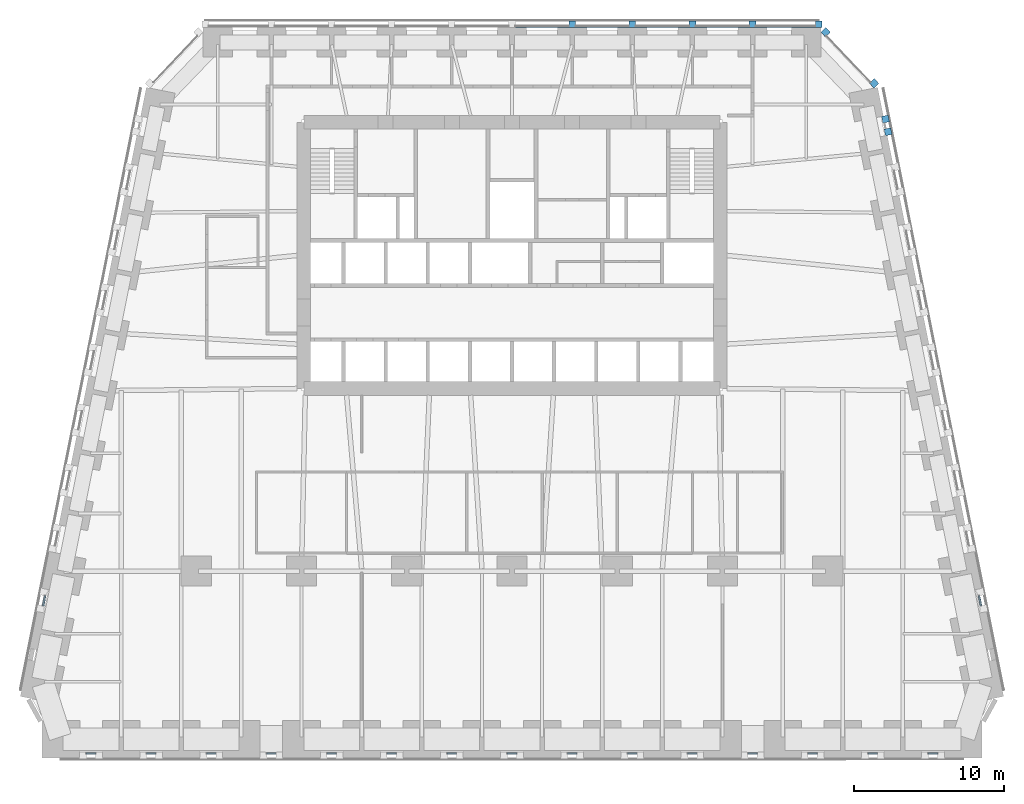
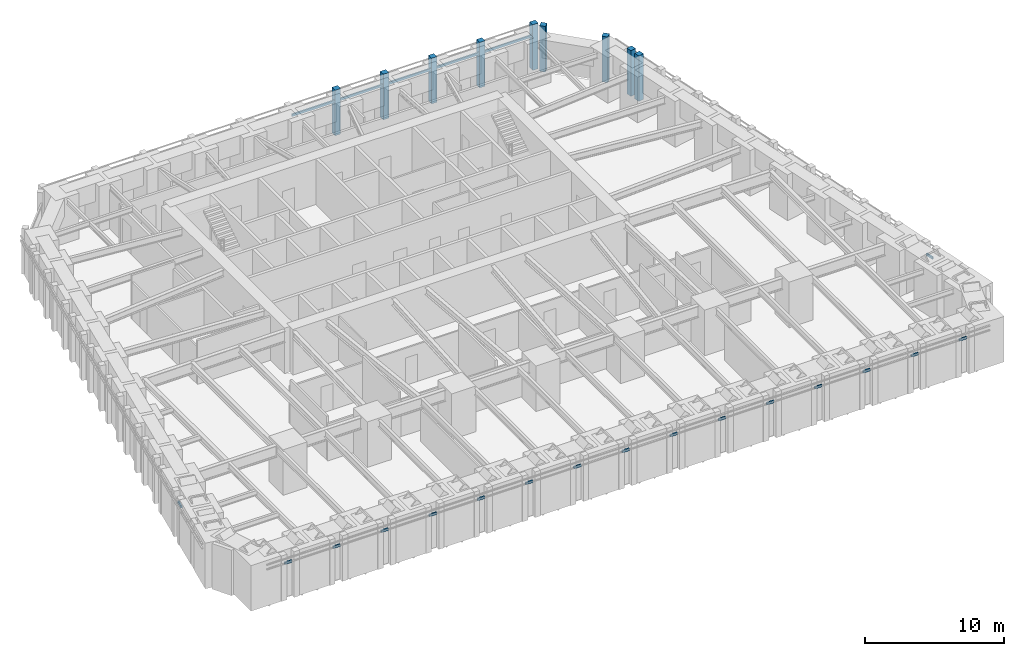
# One storey, part 5 of 16: 31 members, 20 elements without a shape of their own.
"""IFC4 building model written with IfcOpenShell, lengths in metres."""

import ifcopenshell
import ifcopenshell.guid

model = None  # the IFC model being written
_history = None  # IfcOwnerHistory: only IFC2X3 demands one
_inside = {}  # id of a spatial element -> (the spatial element, [elements in it])
_under = {}  # id of a project, library or spatial element -> (it, [spatial elements below it])
_declared = {}  # id of a project -> (the project, [libraries it declares])
_typed = {}  # id of a type object -> (the type object, [elements of that type])
_made_of = {}  # id of a material, layer set ... -> (it, [elements and type objects made of it])


def new_model(schema):
    """Start an empty IFC model of exactly this schema.

    Asked for "IFC4X3", IfcOpenShell would pick the latest addendum, in which some entities
    have other attributes; the version numbers below select the first issue.
    IFC2X3 requires an IfcOwnerHistory on every rooted entity: one is made here for all.
    """
    global model, _history
    if schema == "IFC4X3":
        model = ifcopenshell.file(schema_version=(4, 3, 0, 0))
    else:
        model = ifcopenshell.file(schema=schema)
    _inside.clear()
    _under.clear()
    _declared.clear()
    _typed.clear()
    _made_of.clear()
    _history = None
    if model.schema == "IFC2X3":
        org = make("IfcOrganization", Name="unknown")
        user = make(
            "IfcPersonAndOrganization",
            ThePerson=make("IfcPerson", FamilyName="unknown"),
            TheOrganization=org,
        )
        app = make(
            "IfcApplication",
            ApplicationDeveloper=org,
            Version="unknown",
            ApplicationFullName="unknown",
            ApplicationIdentifier="unknown",
        )
        _history = make(
            "IfcOwnerHistory",
            OwningUser=user,
            OwningApplication=app,
            ChangeAction="ADDED",
            CreationDate=0,
        )
    return model


def make(cls, **values):
    """One entity of the class cls with the attributes given. An attribute that is None is left unset."""
    return model.create_entity(
        cls, **{name: value for name, value in values.items() if value is not None}
    )


def rooted(cls, **values):
    """An entity with a GlobalId (a new one), such as an element, a storey or a relation."""
    return make(cls, GlobalId=ifcopenshell.guid.new(), OwnerHistory=_history, **values)


def si_unit(unit_type, name, prefix=None):
    """IfcSIUnit, for example si_unit("LENGTHUNIT", "METRE", prefix="MILLI")."""
    return make("IfcSIUnit", UnitType=unit_type, Prefix=prefix, Name=name)


def assignment(units):
    """IfcUnitAssignment: the units of a project."""
    return None if units is None else make("IfcUnitAssignment", Units=units)


def point(xyz):
    """IfcCartesianPoint."""
    return None if xyz is None else make("IfcCartesianPoint", Coordinates=xyz)


def direction(xyz):
    """IfcDirection."""
    return None if xyz is None else make("IfcDirection", DirectionRatios=xyz)


def frame(location, z_axis=None, x_axis=None):
    """IfcAxis2Placement3D, a coordinate frame: its origin and axes. An axis left out is left unset."""
    return make(
        "IfcAxis2Placement3D",
        Location=point(location),
        Axis=direction(z_axis),
        RefDirection=direction(x_axis),
    )


def frame_2d(location, x_axis=None):
    """IfcAxis2Placement2D, a coordinate frame in the plane: its origin and x axis."""
    return make(
        "IfcAxis2Placement2D", Location=point(location), RefDirection=direction(x_axis)
    )


def origin():
    """The frame at (0, 0, 0) with its axes left unset."""
    return frame((0.0, 0.0, 0.0))


def origin_2d():
    """The frame at (0, 0) in the plane with its x axis left unset."""
    return frame_2d((0.0, 0.0))


def place(relative_to, where):
    """IfcLocalPlacement: puts the frame where relative to a parent placement (None: the world)."""
    return make(
        "IfcLocalPlacement", PlacementRelTo=relative_to, RelativePlacement=where
    )


def context(
    kind, dimensions, precision=None, world=None, true_north=None, identifier=None
):
    """IfcGeometricRepresentationContext, for example the 3D "Model" context."""
    return make(
        "IfcGeometricRepresentationContext",
        ContextIdentifier=identifier,
        ContextType=kind,
        CoordinateSpaceDimension=dimensions,
        Precision=precision,
        WorldCoordinateSystem=world,
        TrueNorth=true_north,
    )


def subcontext(parent, identifier, kind, view, scale=None):
    """IfcGeometricRepresentationSubContext, for example "Body" below "Model"."""
    return make(
        "IfcGeometricRepresentationSubContext",
        ContextIdentifier=identifier,
        ContextType=kind,
        ParentContext=parent,
        TargetScale=scale,
        TargetView=view,
    )


def project(units=None, contexts=None):
    """IfcProject with its units and contexts."""
    return rooted(
        "IfcProject",
        Name="project",
        RepresentationContexts=contexts,
        UnitsInContext=assignment(units),
    )


def spatial(cls, under=None, at=None, **own):
    """A site, building, storey or space (cls), placed at a placement, below another one or the project."""
    s = rooted(cls, ObjectPlacement=at, **own)
    if under is not None:
        _under.setdefault(under.id(), (under, []))[1].append(s)
    return s


def profile(cls, at=None, kind="AREA", **sizes):
    """A parametric profile (cls). Its sizes go by their IFC names, for example OverallWidth=200.0."""
    return make(cls, ProfileType=kind, Position=at, **sizes)


def rectangle(**sizes):
    """IfcRectangleProfileDef."""
    return profile("IfcRectangleProfileDef", **sizes)


def extrude(swept, where, along, depth):
    """IfcExtrudedAreaSolid: the profile swept, set in the frame where, extruded along a direction by depth."""
    return make(
        "IfcExtrudedAreaSolid",
        SweptArea=swept,
        Position=where,
        ExtrudedDirection=direction(along),
        Depth=depth,
    )


def shape(context_of_items, identifier, shape_type, items):
    """IfcShapeRepresentation: the items that make up one representation, for example the "Body"."""
    return make(
        "IfcShapeRepresentation",
        ContextOfItems=context_of_items,
        RepresentationIdentifier=identifier,
        RepresentationType=shape_type,
        Items=items,
    )


def material(Name=None, Category=None):
    """IfcMaterial."""
    return make("IfcMaterial", Name=Name, Category=Category)


def material_profile(
    of_material, cross_section, Name=None, Category=None, Priority=None
):
    """IfcMaterialProfile: a cross section and its material."""
    return make(
        "IfcMaterialProfile",
        Name=Name,
        Material=of_material,
        Profile=cross_section,
        Priority=Priority,
        Category=Category,
    )


def profile_set(profiles, Name=None, composite=None):
    """IfcMaterialProfileSet."""
    return make(
        "IfcMaterialProfileSet",
        Name=Name,
        MaterialProfiles=profiles,
        CompositeProfile=composite,
    )


def made_of(thing, what):
    """Note that an element or type object is made of a material, layer set ...; save() writes the relation."""
    if what is not None:
        _made_of.setdefault(what.id(), (what, []))[1].append(thing)
    return thing


def type_object(cls, material=None, **own):
    """A type object (cls), such as IfcWallType, which elements share."""
    return made_of(rooted(cls, **own), material)


def element(
    cls,
    number,
    at=None,
    inside=None,
    cuts=None,
    type_object=None,
    material=None,
    context=None,
    identifier="Body",
    shape_type=None,
    held_by="IfcProductDefinitionShape",
    body=None,
    shapes=None,
    **own,
):
    """One element of the class cls, such as IfcWall. Its Tag is "e" and its number.

    at: its placement. inside: the storey or other place that contains it. cuts: it is an
    opening in that element (IfcRelVoidsElement). A single representation is given by context,
    identifier, shape_type and body (its items); several are given by shapes. held_by: the class
    of the entity that holds the representations. save() writes the other relations.
    """
    e = rooted(cls, Tag="e%d" % number, ObjectPlacement=at, **own)
    if body is not None:
        shapes = [shape(context, identifier, shape_type, body)]
    if shapes is not None:
        e.Representation = make(held_by, Representations=shapes)
    if inside is not None:
        _inside.setdefault(inside.id(), (inside, []))[1].append(e)
    if cuts is not None:
        rooted(
            "IfcRelVoidsElement", RelatingBuildingElement=cuts, RelatedOpeningElement=e
        )
    if type_object is not None:
        _typed.setdefault(type_object.id(), (type_object, []))[1].append(e)
    return made_of(e, material)


def aggregate(whole, parts):
    """IfcRelAggregates: a whole, such as a stair, and the parts it consists of."""
    return rooted("IfcRelAggregates", RelatingObject=whole, RelatedObjects=parts)


def save(model, path):
    """Write the relations noted so far, then the file.

    IfcRelAggregates (storeys below a building ...), IfcRelContainedInSpatialStructure (elements
    in a storey), IfcRelDefinesByType, IfcRelAssociatesMaterial and IfcRelDeclares: one each for
    every whole, place, type object, material and project.
    """
    for whole, parts in _under.values():
        aggregate(whole, parts)
    for where, things in _inside.values():
        rooted(
            "IfcRelContainedInSpatialStructure",
            RelatedElements=things,
            RelatingStructure=where,
        )
    for kind, things in _typed.values():
        rooted("IfcRelDefinesByType", RelatedObjects=things, RelatingType=kind)
    for what, things in _made_of.values():
        rooted("IfcRelAssociatesMaterial", RelatedObjects=things, RelatingMaterial=what)
    for by, libraries in _declared.values():
        rooted("IfcRelDeclares", RelatingContext=by, RelatedDefinitions=libraries)
    model.write(path)


model = new_model("IFC4")

# Units and contexts
model_context = context("Model", 3, precision=1e-05, world=origin(), true_north=direction((0.0, 1.0)))
body_context = subcontext(model_context, "Body", "Model", "MODEL_VIEW")
ifc_project = project(units=[si_unit("LENGTHUNIT", "METRE"), si_unit("AREAUNIT", "SQUARE_METRE"), si_unit("VOLUMEUNIT", "CUBIC_METRE"), si_unit("PLANEANGLEUNIT", "RADIAN"), si_unit("MASSUNIT", "GRAM", prefix="KILO")], contexts=[model_context])

# Site, building, storey
site_placement = place(None, origin())
site = spatial("IfcSite", under=ifc_project, at=site_placement, CompositionType="ELEMENT")
building_placement = place(site_placement, origin())
building = spatial("IfcBuilding", under=site, at=building_placement, Name="Isbrekke Arena Tower", CompositionType="ELEMENT")
storey_placement = place(building_placement, frame((0.0, 0.0, 32.0)))
storey = spatial("IfcBuildingStorey", under=building, at=storey_placement, Name="L05", CompositionType="ELEMENT", Elevation=32.0)

# Curtain wall, members
ifc_material_1 = material(Name="Glazed aluminium curtain wall", Category="aluminium")
curtain_wall_type = type_object("IfcCurtainWallType", Name="CWL TOWER CURTAIN WALL LOW ZONE", PredefinedType="USERDEFINED", material=ifc_material_1)
curtain_wall_1_placement = place(storey_placement, origin())
curtain_wall_1 = element("IfcCurtainWall", 1, at=curtain_wall_1_placement, inside=storey, type_object=curtain_wall_type, Name="CWL curtain wall L05-E19", ObjectType="TOWER CURTAIN WALL LOW ZONE", PredefinedType="USERDEFINED")
ifc_material_2 = material(Name="Aluminium mullion, pale brick slip cladding", Category="masonry")
ifc_material_profile_1 = material_profile(ifc_material_2, rectangle(XDim=0.449951171875, YDim=0.449951171875, at=origin_2d()), Name="PIER 450X450")
ifc_profile_set_1 = profile_set([ifc_material_profile_1], Name="Aluminium mullion, pale brick slip cladding")
member_type_1 = type_object("IfcMemberType", Name="CWL-M PIER MULLION 450 x 450", PredefinedType="MULLION", material=ifc_profile_set_1)
member_1_placement = place(storey_placement, frame((25.009765625, 23.225830078125, 0.0), z_axis=(0.0, 0.0, 1.0), x_axis=(-0.196116135138, 0.980580675691, 0.0)))
member_1 = element("IfcMember", 2, at=member_1_placement, type_object=member_type_1, Name="CWL-M mullion 1", PredefinedType="MULLION", context=body_context, shape_type="SweptSolid", body=[
    extrude(rectangle(XDim=0.449951171875, YDim=0.449951171875, at=origin_2d()), origin(), (0.0, 0.0, 1.0), 4.0),
])
member_2_placement = place(storey_placement, frame((24.841796875, 24.065185546875, 0.0), z_axis=(0.0, 0.0, 1.0), x_axis=(-0.196116135138, 0.980580675691, 0.0)))
member_2 = element("IfcMember", 3, at=member_2_placement, type_object=member_type_1, Name="CWL-M mullion 2", PredefinedType="MULLION", context=body_context, shape_type="SweptSolid", body=[
    extrude(rectangle(XDim=0.449951171875, YDim=0.449951171875, at=origin_2d()), origin(), (0.0, 0.0, 1.0), 4.0),
])
aggregate(curtain_wall_1, [member_1, member_2])

curtain_wall_2_placement = place(storey_placement, origin())
curtain_wall_2 = element("IfcCurtainWall", 4, at=curtain_wall_2_placement, inside=storey, type_object=curtain_wall_type, Name="CWL curtain wall L05-EN", ObjectType="TOWER CURTAIN WALL LOW ZONE", PredefinedType="USERDEFINED")
member_3_placement = place(storey_placement, frame((24.08837890625, 26.444091796875, 0.0), z_axis=(0.0, 0.0, 1.0), x_axis=(-0.68874946192, 0.72499943359, 0.0)))
member_3 = element("IfcMember", 5, at=member_3_placement, type_object=member_type_1, Name="CWL-M mullion 1", PredefinedType="MULLION", context=body_context, shape_type="SweptSolid", body=[
    extrude(rectangle(XDim=0.449951171875, YDim=0.449951171875, at=origin_2d()), origin(), (0.0, 0.0, 1.0), 4.0),
])
member_4_placement = place(storey_placement, frame((20.86572265625, 29.83642578125, 0.0), z_axis=(0.0, 0.0, 1.0), x_axis=(-0.68874946192, 0.72499943359, 0.0)))
member_4 = element("IfcMember", 6, at=member_4_placement, type_object=member_type_1, Name="CWL-M mullion 2", PredefinedType="MULLION", context=body_context, shape_type="SweptSolid", body=[
    extrude(rectangle(XDim=0.449951171875, YDim=0.449951171875, at=origin_2d()), origin(), (0.0, 0.0, 1.0), 4.0),
])
aggregate(curtain_wall_2, [member_3, member_4])

curtain_wall_3_placement = place(storey_placement, origin())
curtain_wall_3 = element("IfcCurtainWall", 7, at=curtain_wall_3_placement, inside=storey, type_object=curtain_wall_type, Name="CWL curtain wall L05-N", ObjectType="TOWER CURTAIN WALL LOW ZONE", PredefinedType="USERDEFINED")
member_5_placement = place(storey_placement, frame((20.39990234375, 30.375, 0.0), z_axis=(0.0, 0.0, 1.0), x_axis=(-1.0, 0.0, 0.0)))
member_5 = element("IfcMember", 8, at=member_5_placement, type_object=member_type_1, Name="CWL-M mullion 1", PredefinedType="MULLION", context=body_context, shape_type="SweptSolid", body=[
    extrude(rectangle(XDim=0.449951171875, YDim=0.449951171875, at=origin_2d()), origin(), (0.0, 0.0, 1.0), 4.0),
])
member_6_placement = place(storey_placement, frame((16.0, 30.375, 0.0), z_axis=(0.0, 0.0, 1.0), x_axis=(-1.0, 0.0, 0.0)))
member_6 = element("IfcMember", 9, at=member_6_placement, type_object=member_type_1, Name="CWL-M mullion 2", PredefinedType="MULLION", context=body_context, shape_type="SweptSolid", body=[
    extrude(rectangle(XDim=0.449951171875, YDim=0.449951171875, at=origin_2d()), origin(), (0.0, 0.0, 1.0), 4.0),
])
member_7_placement = place(storey_placement, frame((12.0, 30.375, 0.0), z_axis=(0.0, 0.0, 1.0), x_axis=(-1.0, 0.0, 0.0)))
member_7 = element("IfcMember", 10, at=member_7_placement, type_object=member_type_1, Name="CWL-M mullion 3", PredefinedType="MULLION", context=body_context, shape_type="SweptSolid", body=[
    extrude(rectangle(XDim=0.449951171875, YDim=0.449951171875, at=origin_2d()), origin(), (0.0, 0.0, 1.0), 4.0),
])
member_8_placement = place(storey_placement, frame((8.0, 30.375, 0.0), z_axis=(0.0, 0.0, 1.0), x_axis=(-1.0, 0.0, 0.0)))
member_8 = element("IfcMember", 11, at=member_8_placement, type_object=member_type_1, Name="CWL-M mullion 4", PredefinedType="MULLION", context=body_context, shape_type="SweptSolid", body=[
    extrude(rectangle(XDim=0.449951171875, YDim=0.449951171875, at=origin_2d()), origin(), (0.0, 0.0, 1.0), 4.0),
])
member_9_placement = place(storey_placement, frame((4.0, 30.375, 0.0), z_axis=(0.0, 0.0, 1.0), x_axis=(-1.0, 0.0, 0.0)))
member_9 = element("IfcMember", 12, at=member_9_placement, type_object=member_type_1, Name="CWL-M mullion 5", PredefinedType="MULLION", context=body_context, shape_type="SweptSolid", body=[
    extrude(rectangle(XDim=0.449951171875, YDim=0.449951171875, at=origin_2d()), origin(), (0.0, 0.0, 1.0), 4.0),
])

# Curtain wall, member
curtain_wall_4_placement = place(storey_placement, origin())
curtain_wall_4 = element("IfcCurtainWall", 13, at=curtain_wall_4_placement, inside=storey, type_object=curtain_wall_type, Name="CWL curtain wall L05-S", ObjectType="TOWER CURTAIN WALL LOW ZONE", PredefinedType="USERDEFINED")
ifc_material_3 = material(Name="Aluminium transom", Category="aluminium")
ifc_material_profile_2 = material_profile(ifc_material_3, rectangle(XDim=0.1201171875, YDim=0.199951171875, at=origin_2d()), Name="TRANSOM 120X200")
ifc_profile_set_2 = profile_set([ifc_material_profile_2], Name="Aluminium transom")
member_type_2 = type_object("IfcMemberType", Name="CWL-T TRANSOM 120 x 200", PredefinedType="USERDEFINED", material=ifc_profile_set_2)
member_10_placement = place(storey_placement, frame((-28.302001953125, -18.125, 3.0), z_axis=(1.0, 0.0, 0.0), x_axis=(0.0, 1.0, 0.0)))
member_10 = element("IfcMember", 14, at=member_10_placement, type_object=member_type_2, Name="CWL-T transom 1", ObjectType="TRANSOM", PredefinedType="USERDEFINED", context=body_context, shape_type="SweptSolid", body=[
    extrude(rectangle(XDim=0.1201171875, YDim=0.199951171875, at=origin_2d()), origin(), (0.0, 0.0, 1.0), 0.60205078125),
])
aggregate(curtain_wall_4, [member_10])

curtain_wall_5_placement = place(storey_placement, origin())
curtain_wall_5 = element("IfcCurtainWall", 15, at=curtain_wall_5_placement, inside=storey, type_object=curtain_wall_type, Name="CWL curtain wall L05-S3", ObjectType="TOWER CURTAIN WALL LOW ZONE", PredefinedType="USERDEFINED")
member_11_placement = place(storey_placement, frame((-24.300048828125, -18.125, 3.0), z_axis=(1.0, 0.0, 0.0), x_axis=(0.0, 1.0, 0.0)))
member_11 = element("IfcMember", 16, at=member_11_placement, type_object=member_type_2, Name="CWL-T transom 1", ObjectType="TRANSOM", PredefinedType="USERDEFINED", context=body_context, shape_type="SweptSolid", body=[
    extrude(rectangle(XDim=0.1201171875, YDim=0.199951171875, at=origin_2d()), origin(), (0.0, 0.0, 1.0), 0.60009765625),
])
aggregate(curtain_wall_5, [member_11])

curtain_wall_6_placement = place(storey_placement, origin())
curtain_wall_6 = element("IfcCurtainWall", 17, at=curtain_wall_6_placement, inside=storey, type_object=curtain_wall_type, Name="CWL curtain wall L05-S5", ObjectType="TOWER CURTAIN WALL LOW ZONE", PredefinedType="USERDEFINED")
member_12_placement = place(storey_placement, frame((-20.300048828125, -18.125, 3.0), z_axis=(1.0, 0.0, 0.0), x_axis=(0.0, 1.0, 0.0)))
member_12 = element("IfcMember", 18, at=member_12_placement, type_object=member_type_2, Name="CWL-T transom 1", ObjectType="TRANSOM", PredefinedType="USERDEFINED", context=body_context, shape_type="SweptSolid", body=[
    extrude(rectangle(XDim=0.1201171875, YDim=0.199951171875, at=origin_2d()), origin(), (0.0, 0.0, 1.0), 0.60009765625),
])
aggregate(curtain_wall_6, [member_12])

curtain_wall_7_placement = place(storey_placement, origin())
curtain_wall_7 = element("IfcCurtainWall", 19, at=curtain_wall_7_placement, inside=storey, type_object=curtain_wall_type, Name="CWL curtain wall L05-S7", ObjectType="TOWER CURTAIN WALL LOW ZONE", PredefinedType="USERDEFINED")
member_13_placement = place(storey_placement, frame((-16.300048828125, -18.125, 3.0), z_axis=(1.0, 0.0, 0.0), x_axis=(0.0, 1.0, 0.0)))
member_13 = element("IfcMember", 20, at=member_13_placement, type_object=member_type_2, Name="CWL-T transom 1", ObjectType="TRANSOM", PredefinedType="USERDEFINED", context=body_context, shape_type="SweptSolid", body=[
    extrude(rectangle(XDim=0.1201171875, YDim=0.199951171875, at=origin_2d()), origin(), (0.0, 0.0, 1.0), 0.60009765625),
])
aggregate(curtain_wall_7, [member_13])

curtain_wall_8_placement = place(storey_placement, origin())
curtain_wall_8 = element("IfcCurtainWall", 21, at=curtain_wall_8_placement, inside=storey, type_object=curtain_wall_type, Name="CWL curtain wall L05-S9", ObjectType="TOWER CURTAIN WALL LOW ZONE", PredefinedType="USERDEFINED")
member_14_placement = place(storey_placement, frame((-12.300048828125, -18.125, 3.0), z_axis=(1.0, 0.0, 0.0), x_axis=(0.0, 1.0, 0.0)))
member_14 = element("IfcMember", 22, at=member_14_placement, type_object=member_type_2, Name="CWL-T transom 1", ObjectType="TRANSOM", PredefinedType="USERDEFINED", context=body_context, shape_type="SweptSolid", body=[
    extrude(rectangle(XDim=0.1201171875, YDim=0.199951171875, at=origin_2d()), origin(), (0.0, 0.0, 1.0), 0.60009765625),
])
aggregate(curtain_wall_8, [member_14])

curtain_wall_9_placement = place(storey_placement, origin())
curtain_wall_9 = element("IfcCurtainWall", 23, at=curtain_wall_9_placement, inside=storey, type_object=curtain_wall_type, Name="CWL curtain wall L05-S11", ObjectType="TOWER CURTAIN WALL LOW ZONE", PredefinedType="USERDEFINED")
member_15_placement = place(storey_placement, frame((-8.300048828125, -18.125, 3.0), z_axis=(1.0, 0.0, 0.0), x_axis=(0.0, 1.0, 0.0)))
member_15 = element("IfcMember", 24, at=member_15_placement, type_object=member_type_2, Name="CWL-T transom 1", ObjectType="TRANSOM", PredefinedType="USERDEFINED", context=body_context, shape_type="SweptSolid", body=[
    extrude(rectangle(XDim=0.1201171875, YDim=0.199951171875, at=origin_2d()), origin(), (0.0, 0.0, 1.0), 0.60009765625),
])
aggregate(curtain_wall_9, [member_15])

curtain_wall_10_placement = place(storey_placement, origin())
curtain_wall_10 = element("IfcCurtainWall", 25, at=curtain_wall_10_placement, inside=storey, type_object=curtain_wall_type, Name="CWL curtain wall L05-S13", ObjectType="TOWER CURTAIN WALL LOW ZONE", PredefinedType="USERDEFINED")
member_16_placement = place(storey_placement, frame((-4.300048828125, -18.125, 3.0), z_axis=(1.0, 0.0, 0.0), x_axis=(0.0, 1.0, 0.0)))
member_16 = element("IfcMember", 26, at=member_16_placement, type_object=member_type_2, Name="CWL-T transom 1", ObjectType="TRANSOM", PredefinedType="USERDEFINED", context=body_context, shape_type="SweptSolid", body=[
    extrude(rectangle(XDim=0.1201171875, YDim=0.199951171875, at=origin_2d()), origin(), (0.0, 0.0, 1.0), 0.60009765625),
])
aggregate(curtain_wall_10, [member_16])

curtain_wall_11_placement = place(storey_placement, origin())
curtain_wall_11 = element("IfcCurtainWall", 27, at=curtain_wall_11_placement, inside=storey, type_object=curtain_wall_type, Name="CWL curtain wall L05-S15", ObjectType="TOWER CURTAIN WALL LOW ZONE", PredefinedType="USERDEFINED")
member_17_placement = place(storey_placement, frame((-0.300048828125, -18.125, 3.0), z_axis=(1.0, 0.0, 0.0), x_axis=(0.0, 1.0, 0.0)))
member_17 = element("IfcMember", 28, at=member_17_placement, type_object=member_type_2, Name="CWL-T transom 1", ObjectType="TRANSOM", PredefinedType="USERDEFINED", context=body_context, shape_type="SweptSolid", body=[
    extrude(rectangle(XDim=0.1201171875, YDim=0.199951171875, at=origin_2d()), origin(), (0.0, 0.0, 1.0), 0.60009765625),
])
aggregate(curtain_wall_11, [member_17])

curtain_wall_12_placement = place(storey_placement, origin())
curtain_wall_12 = element("IfcCurtainWall", 29, at=curtain_wall_12_placement, inside=storey, type_object=curtain_wall_type, Name="CWL curtain wall L05-S17", ObjectType="TOWER CURTAIN WALL LOW ZONE", PredefinedType="USERDEFINED")
member_18_placement = place(storey_placement, frame((3.699951171875, -18.125, 3.0), z_axis=(1.0, 0.0, 0.0), x_axis=(0.0, 1.0, 0.0)))
member_18 = element("IfcMember", 30, at=member_18_placement, type_object=member_type_2, Name="CWL-T transom 1", ObjectType="TRANSOM", PredefinedType="USERDEFINED", context=body_context, shape_type="SweptSolid", body=[
    extrude(rectangle(XDim=0.1201171875, YDim=0.199951171875, at=origin_2d()), origin(), (0.0, 0.0, 1.0), 0.60009765625),
])
aggregate(curtain_wall_12, [member_18])

curtain_wall_13_placement = place(storey_placement, origin())
curtain_wall_13 = element("IfcCurtainWall", 31, at=curtain_wall_13_placement, inside=storey, type_object=curtain_wall_type, Name="CWL curtain wall L05-S19", ObjectType="TOWER CURTAIN WALL LOW ZONE", PredefinedType="USERDEFINED")
member_19_placement = place(storey_placement, frame((7.699951171875, -18.125, 3.0), z_axis=(1.0, 0.0, 0.0), x_axis=(0.0, 1.0, 0.0)))
member_19 = element("IfcMember", 32, at=member_19_placement, type_object=member_type_2, Name="CWL-T transom 1", ObjectType="TRANSOM", PredefinedType="USERDEFINED", context=body_context, shape_type="SweptSolid", body=[
    extrude(rectangle(XDim=0.1201171875, YDim=0.199951171875, at=origin_2d()), origin(), (0.0, 0.0, 1.0), 0.60009765625),
])
aggregate(curtain_wall_13, [member_19])

curtain_wall_14_placement = place(storey_placement, origin())
curtain_wall_14 = element("IfcCurtainWall", 33, at=curtain_wall_14_placement, inside=storey, type_object=curtain_wall_type, Name="CWL curtain wall L05-S21", ObjectType="TOWER CURTAIN WALL LOW ZONE", PredefinedType="USERDEFINED")
member_20_placement = place(storey_placement, frame((11.699951171875, -18.125, 3.0), z_axis=(1.0, 0.0, 0.0), x_axis=(0.0, 1.0, 0.0)))
member_20 = element("IfcMember", 34, at=member_20_placement, type_object=member_type_2, Name="CWL-T transom 1", ObjectType="TRANSOM", PredefinedType="USERDEFINED", context=body_context, shape_type="SweptSolid", body=[
    extrude(rectangle(XDim=0.1201171875, YDim=0.199951171875, at=origin_2d()), origin(), (0.0, 0.0, 1.0), 0.60009765625),
])
aggregate(curtain_wall_14, [member_20])

curtain_wall_15_placement = place(storey_placement, origin())
curtain_wall_15 = element("IfcCurtainWall", 35, at=curtain_wall_15_placement, inside=storey, type_object=curtain_wall_type, Name="CWL curtain wall L05-S23", ObjectType="TOWER CURTAIN WALL LOW ZONE", PredefinedType="USERDEFINED")
member_21_placement = place(storey_placement, frame((15.699951171875, -18.125, 3.0), z_axis=(1.0, 0.0, 0.0), x_axis=(0.0, 1.0, 0.0)))
member_21 = element("IfcMember", 36, at=member_21_placement, type_object=member_type_2, Name="CWL-T transom 1", ObjectType="TRANSOM", PredefinedType="USERDEFINED", context=body_context, shape_type="SweptSolid", body=[
    extrude(rectangle(XDim=0.1201171875, YDim=0.199951171875, at=origin_2d()), origin(), (0.0, 0.0, 1.0), 0.60009765625),
])
aggregate(curtain_wall_15, [member_21])

curtain_wall_16_placement = place(storey_placement, origin())
curtain_wall_16 = element("IfcCurtainWall", 37, at=curtain_wall_16_placement, inside=storey, type_object=curtain_wall_type, Name="CWL curtain wall L05-S25", ObjectType="TOWER CURTAIN WALL LOW ZONE", PredefinedType="USERDEFINED")
member_22_placement = place(storey_placement, frame((19.699951171875, -18.125, 3.0), z_axis=(1.0, 0.0, 0.0), x_axis=(0.0, 1.0, 0.0)))
member_22 = element("IfcMember", 38, at=member_22_placement, type_object=member_type_2, Name="CWL-T transom 1", ObjectType="TRANSOM", PredefinedType="USERDEFINED", context=body_context, shape_type="SweptSolid", body=[
    extrude(rectangle(XDim=0.1201171875, YDim=0.199951171875, at=origin_2d()), origin(), (0.0, 0.0, 1.0), 0.60009765625),
])
aggregate(curtain_wall_16, [member_22])

curtain_wall_17_placement = place(storey_placement, origin())
curtain_wall_17 = element("IfcCurtainWall", 39, at=curtain_wall_17_placement, inside=storey, type_object=curtain_wall_type, Name="CWL curtain wall L05-S27", ObjectType="TOWER CURTAIN WALL LOW ZONE", PredefinedType="USERDEFINED")
member_23_placement = place(storey_placement, frame((23.699951171875, -18.125, 3.0), z_axis=(1.0, 0.0, 0.0), x_axis=(0.0, 1.0, 0.0)))
member_23 = element("IfcMember", 40, at=member_23_placement, type_object=member_type_2, Name="CWL-T transom 1", ObjectType="TRANSOM", PredefinedType="USERDEFINED", context=body_context, shape_type="SweptSolid", body=[
    extrude(rectangle(XDim=0.1201171875, YDim=0.199951171875, at=origin_2d()), origin(), (0.0, 0.0, 1.0), 0.60009765625),
])
aggregate(curtain_wall_17, [member_23])

curtain_wall_18_placement = place(storey_placement, origin())
curtain_wall_18 = element("IfcCurtainWall", 41, at=curtain_wall_18_placement, inside=storey, type_object=curtain_wall_type, Name="CWL curtain wall L05-S29", ObjectType="TOWER CURTAIN WALL LOW ZONE", PredefinedType="USERDEFINED")
member_24_placement = place(storey_placement, frame((27.699951171875, -18.125, 3.0), z_axis=(1.0, 0.0, 0.0), x_axis=(0.0, 1.0, 0.0)))
member_24 = element("IfcMember", 42, at=member_24_placement, type_object=member_type_2, Name="CWL-T transom 1", ObjectType="TRANSOM", PredefinedType="USERDEFINED", context=body_context, shape_type="SweptSolid", body=[
    extrude(rectangle(XDim=0.1201171875, YDim=0.199951171875, at=origin_2d()), origin(), (0.0, 0.0, 1.0), 0.60205078125),
])
aggregate(curtain_wall_18, [member_24])

curtain_wall_19_placement = place(storey_placement, origin())
curtain_wall_19 = element("IfcCurtainWall", 43, at=curtain_wall_19_placement, inside=storey, type_object=curtain_wall_type, Name="CWL curtain wall L05-E3", ObjectType="TOWER CURTAIN WALL LOW ZONE", PredefinedType="USERDEFINED")
member_25_placement = place(storey_placement, frame((31.189208984375, -8.30859375, 3.0), z_axis=(-0.196254379441, 0.980553016695, 0.0), x_axis=(-0.980553016695, -0.196254379441, 0.0)))
member_25 = element("IfcMember", 44, at=member_25_placement, type_object=member_type_2, Name="CWL-T transom 1", ObjectType="TRANSOM", PredefinedType="USERDEFINED", context=body_context, shape_type="SweptSolid", body=[
    extrude(rectangle(XDim=0.1201171875, YDim=0.199951171875, at=origin_2d()), origin(), (0.0, 0.0, 1.0), 0.67919921875),
])
aggregate(curtain_wall_19, [member_25])

# Member
member_26_placement = place(storey_placement, frame((20.175048828125, 30.25, 3.0), z_axis=(-1.0, 0.0, 0.0), x_axis=(0.0, -1.0, 0.0)))
member_26 = element("IfcMember", 45, at=member_26_placement, type_object=member_type_2, Name="CWL-T transom 1", ObjectType="TRANSOM", PredefinedType="USERDEFINED", context=body_context, shape_type="SweptSolid", body=[
    extrude(rectangle(XDim=0.1201171875, YDim=0.199951171875, at=origin_2d()), origin(), (0.0, 0.0, 1.0), 3.949951171875),
])

member_27_placement = place(storey_placement, frame((15.77490234375, 30.25, 3.0), z_axis=(-1.0, 0.0, 0.0), x_axis=(0.0, -1.0, 0.0)))
member_27 = element("IfcMember", 46, at=member_27_placement, type_object=member_type_2, Name="CWL-T transom 2", ObjectType="TRANSOM", PredefinedType="USERDEFINED", context=body_context, shape_type="SweptSolid", body=[
    extrude(rectangle(XDim=0.1201171875, YDim=0.199951171875, at=origin_2d()), origin(), (0.0, 0.0, 1.0), 3.5498046875),
])

member_28_placement = place(storey_placement, frame((11.77490234375, 30.25, 3.0), z_axis=(-1.0, 0.0, 0.0), x_axis=(0.0, -1.0, 0.0)))
member_28 = element("IfcMember", 47, at=member_28_placement, type_object=member_type_2, Name="CWL-T transom 3", ObjectType="TRANSOM", PredefinedType="USERDEFINED", context=body_context, shape_type="SweptSolid", body=[
    extrude(rectangle(XDim=0.1201171875, YDim=0.199951171875, at=origin_2d()), origin(), (0.0, 0.0, 1.0), 3.5498046875),
])

member_29_placement = place(storey_placement, frame((7.77490234375, 30.25, 3.0), z_axis=(-1.0, 0.0, 0.0), x_axis=(0.0, -1.0, 0.0)))
member_29 = element("IfcMember", 48, at=member_29_placement, type_object=member_type_2, Name="CWL-T transom 4", ObjectType="TRANSOM", PredefinedType="USERDEFINED", context=body_context, shape_type="SweptSolid", body=[
    extrude(rectangle(XDim=0.1201171875, YDim=0.199951171875, at=origin_2d()), origin(), (0.0, 0.0, 1.0), 3.5498046875),
])

member_30_placement = place(storey_placement, frame((3.77490234375, 30.25, 3.0), z_axis=(-1.0, 0.0, 0.0), x_axis=(0.0, -1.0, 0.0)))
member_30 = element("IfcMember", 49, at=member_30_placement, type_object=member_type_2, Name="CWL-T transom 5", ObjectType="TRANSOM", PredefinedType="USERDEFINED", context=body_context, shape_type="SweptSolid", body=[
    extrude(rectangle(XDim=0.1201171875, YDim=0.199951171875, at=origin_2d()), origin(), (0.0, 0.0, 1.0), 3.5498046875),
])

aggregate(curtain_wall_3, [member_5, member_6, member_7, member_8, member_9, member_26, member_27, member_28, member_29, member_30])

# Curtain wall, member
curtain_wall_20_placement = place(storey_placement, origin())
curtain_wall_20 = element("IfcCurtainWall", 50, at=curtain_wall_20_placement, inside=storey, type_object=curtain_wall_type, Name="CWL curtain wall L05-W17", ObjectType="TOWER CURTAIN WALL LOW ZONE", PredefinedType="USERDEFINED")
member_31_placement = place(storey_placement, frame((-31.055908203125, -7.642578125, 3.0), z_axis=(-0.196254379441, -0.980553016695, 0.0), x_axis=(0.980553016695, -0.196254379441, 0.0)))
member_31 = element("IfcMember", 51, at=member_31_placement, type_object=member_type_2, Name="CWL-T transom 1", ObjectType="TRANSOM", PredefinedType="USERDEFINED", context=body_context, shape_type="SweptSolid", body=[
    extrude(rectangle(XDim=0.1201171875, YDim=0.199951171875, at=origin_2d()), origin(), (0.0, 0.0, 1.0), 0.67919921875),
])
aggregate(curtain_wall_20, [member_31])

save(model, "model.ifc")
